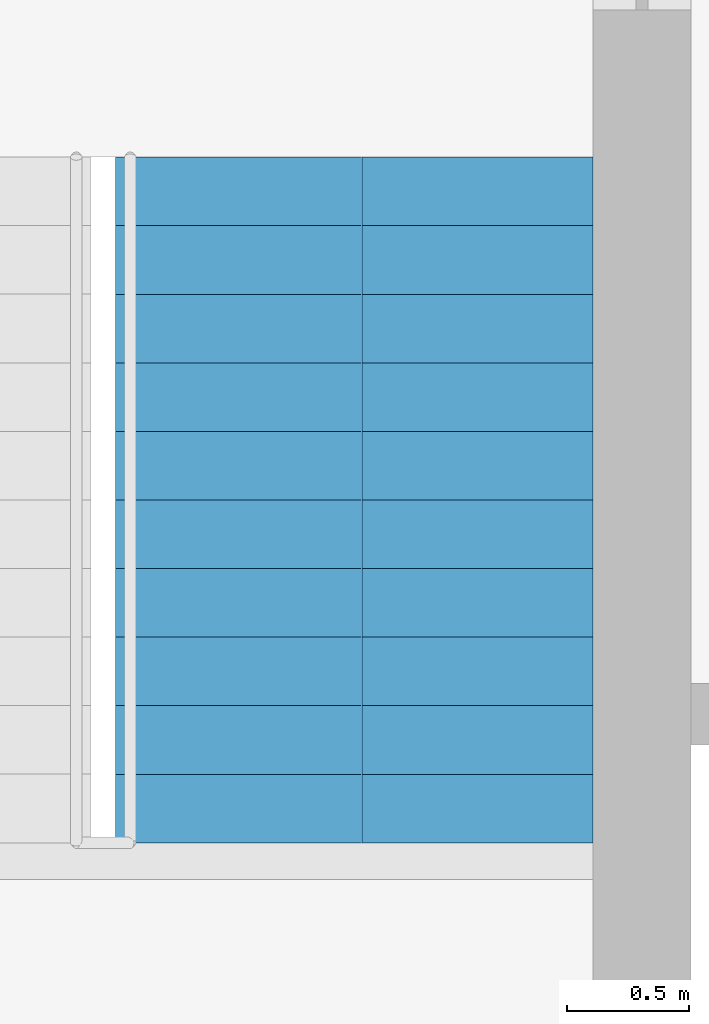
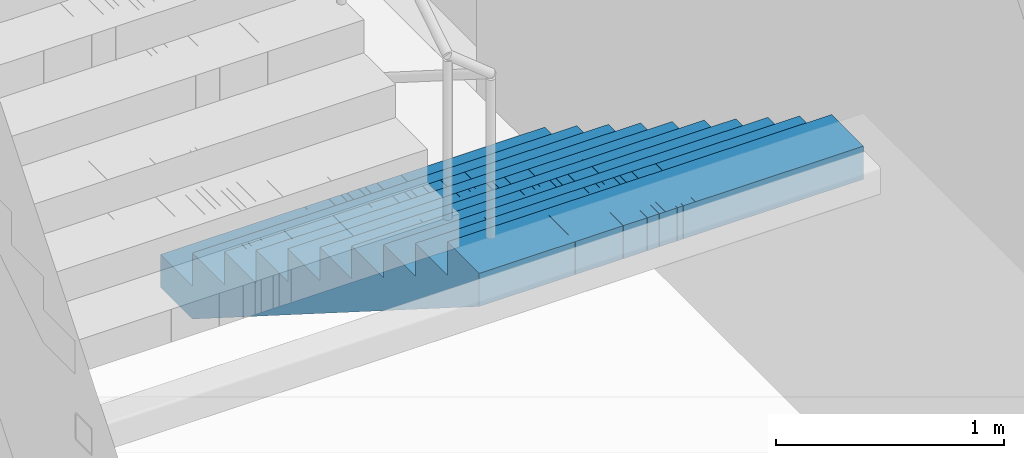
# One storey, part 21 of 22: 1 stair flight, 1 element without a shape of its own.
"""IFC4 building model written with IfcOpenShell, lengths in metres."""

from ifc_helpers import new_model, si_unit, direction, frame, origin, place, context, subcontext, project, spatial, polyline, outline, extrude, material, type_object, element, aggregate, save


model = new_model("IFC4")

# Units and contexts
model_context = context("Model", 3, precision=1e-05, world=origin(), true_north=direction((0.0, 1.0)))
body_context = subcontext(model_context, "Body", "Model", "MODEL_VIEW")
ifc_project = project(units=[si_unit("LENGTHUNIT", "METRE"), si_unit("AREAUNIT", "SQUARE_METRE"), si_unit("VOLUMEUNIT", "CUBIC_METRE"), si_unit("PLANEANGLEUNIT", "RADIAN"), si_unit("MASSUNIT", "GRAM", prefix="KILO")], contexts=[model_context])

# Site, building, storey
site_placement = place(None, origin())
site = spatial("IfcSite", under=ifc_project, at=site_placement, CompositionType="ELEMENT")
building_placement = place(site_placement, origin())
building = spatial("IfcBuilding", under=site, at=building_placement, Name="Mizan Broadcast Tower", CompositionType="ELEMENT")
storey_placement = place(building_placement, frame((0.0, 0.0, 51.300048828125)))
storey = spatial("IfcBuildingStorey", under=building, at=storey_placement, Name="L09", CompositionType="ELEMENT", Elevation=51.300048828125)

# Stair, stair flight
ifc_material_1 = material(Name="Concrete C40/50", Category="concrete")
stair_type = type_object("IfcStairType", Name="EXIT STAIR", PredefinedType="HALF_TURN_STAIR", material=ifc_material_1)
stair_placement = place(storey_placement, origin())
stair = element("IfcStair", 1, at=stair_placement, inside=storey, type_object=stair_type, Name="Stair B L09", PredefinedType="HALF_TURN_STAIR")
ifc_material_2 = material(Name="Concrete C40/50", Category="concrete")
stair_flight_type = type_object("IfcStairFlightType", Name="EXIT STAIR FLIGHT", PredefinedType="STRAIGHT", material=ifc_material_2)
stair_flight_placement = place(storey_placement, frame((1.02490234375, 7.89990234375, 0.0), z_axis=(0.0, 0.0, 1.0), x_axis=(0.0, -1.0, 0.0)))
stair_flight = element("IfcStairFlight", 2, at=stair_flight_placement, type_object=stair_flight_type, Name="B flight 1", NumberOfRisers=11, NumberOfTreads=10, PredefinedType="STRAIGHT", RiserHeight=0.177272727, TreadLength=0.28, context=body_context, shape_type="SweptSolid", body=[
    extrude(outline(polyline([(0.0, 0.0), (0.0, 0.17724609375), (0.280029296875, 0.17724609375), (0.280029296875, 0.3544921875), (0.56005859375, 0.3544921875), (0.56005859375, 0.53173828125), (0.840087890625, 0.53173828125), (0.840087890625, 0.708984375), (1.1201171875, 0.708984375), (1.1201171875, 0.886474609375), (1.39990234375, 0.886474609375), (1.39990234375, 1.063720703125), (1.679931640625, 1.063720703125), (1.679931640625, 1.240966796875), (1.9599609375, 1.240966796875), (1.9599609375, 1.418212890625), (2.239990234375, 1.418212890625), (2.239990234375, 1.595458984375), (2.52001953125, 1.595458984375), (2.52001953125, 1.772705078125), (2.800048828125, 1.772705078125), (2.800048828125, 1.949951171875), (2.800048828125, 1.59521484375), (0.2802734375, 0.0), (0.0, 0.0)])), frame((0.0, 0.97509765625, 0.0), z_axis=(0.0, -1.0, 0.0), x_axis=(1.0, 0.0, 0.0)), (0.0, 0.0, 1.0), 0.4873046875),
    extrude(outline(polyline([(0.0, 0.0), (0.0, 0.17724609375), (0.280029296875, 0.17724609375), (0.280029296875, 0.3544921875), (0.56005859375, 0.3544921875), (0.56005859375, 0.53173828125), (0.840087890625, 0.53173828125), (0.840087890625, 0.708984375), (1.1201171875, 0.708984375), (1.1201171875, 0.886474609375), (1.39990234375, 0.886474609375), (1.39990234375, 1.063720703125), (1.679931640625, 1.063720703125), (1.679931640625, 1.240966796875), (1.9599609375, 1.240966796875), (1.9599609375, 1.418212890625), (2.239990234375, 1.418212890625), (2.239990234375, 1.595458984375), (2.52001953125, 1.595458984375), (2.52001953125, 1.772705078125), (2.800048828125, 1.772705078125), (2.800048828125, 1.949951171875), (2.800048828125, 1.59521484375), (0.2802734375, 0.0), (0.0, 0.0)])), frame((0.0, 0.4873046875, 0.0), z_axis=(0.0, -1.0, 0.0), x_axis=(1.0, 0.0, 0.0)), (0.0, 0.0, 1.0), 0.2431640625),
    extrude(outline(polyline([(0.0, 0.0), (0.0, 0.17724609375), (0.280029296875, 0.17724609375), (0.280029296875, 0.3544921875), (0.56005859375, 0.3544921875), (0.56005859375, 0.53173828125), (0.840087890625, 0.53173828125), (0.840087890625, 0.708984375), (1.1201171875, 0.708984375), (1.1201171875, 0.886474609375), (1.39990234375, 0.886474609375), (1.39990234375, 1.063720703125), (1.679931640625, 1.063720703125), (1.679931640625, 1.240966796875), (1.9599609375, 1.240966796875), (1.9599609375, 1.418212890625), (2.239990234375, 1.418212890625), (2.239990234375, 1.595458984375), (2.52001953125, 1.595458984375), (2.52001953125, 1.772705078125), (2.800048828125, 1.772705078125), (2.800048828125, 1.949951171875), (2.800048828125, 1.59521484375), (0.2802734375, 0.0), (0.0, 0.0)])), frame((0.0, 0.24365234375, 0.0), z_axis=(0.0, -1.0, 0.0), x_axis=(1.0, 0.0, 0.0)), (0.0, 0.0, 1.0), 0.121337890625),
    extrude(outline(polyline([(0.0, 0.0), (0.0, 0.17724609375), (0.280029296875, 0.17724609375), (0.280029296875, 0.3544921875), (0.56005859375, 0.3544921875), (0.56005859375, 0.53173828125), (0.840087890625, 0.53173828125), (0.840087890625, 0.708984375), (1.1201171875, 0.708984375), (1.1201171875, 0.886474609375), (1.39990234375, 0.886474609375), (1.39990234375, 1.063720703125), (1.679931640625, 1.063720703125), (1.679931640625, 1.240966796875), (1.9599609375, 1.240966796875), (1.9599609375, 1.418212890625), (2.239990234375, 1.418212890625), (2.239990234375, 1.595458984375), (2.52001953125, 1.595458984375), (2.52001953125, 1.772705078125), (2.800048828125, 1.772705078125), (2.800048828125, 1.949951171875), (2.800048828125, 1.59521484375), (0.2802734375, 0.0), (0.0, 0.0)])), frame((0.0, 0.121826171875, 0.0), z_axis=(0.0, -1.0, 0.0), x_axis=(1.0, 0.0, 0.0)), (0.0, 0.0, 1.0), 0.060546875),
    extrude(outline(polyline([(0.0, 0.0), (0.0, 0.17724609375), (0.280029296875, 0.17724609375), (0.280029296875, 0.3544921875), (0.56005859375, 0.3544921875), (0.56005859375, 0.53173828125), (0.840087890625, 0.53173828125), (0.840087890625, 0.708984375), (1.1201171875, 0.708984375), (1.1201171875, 0.886474609375), (1.39990234375, 0.886474609375), (1.39990234375, 1.063720703125), (1.679931640625, 1.063720703125), (1.679931640625, 1.240966796875), (1.9599609375, 1.240966796875), (1.9599609375, 1.418212890625), (2.239990234375, 1.418212890625), (2.239990234375, 1.595458984375), (2.52001953125, 1.595458984375), (2.52001953125, 1.772705078125), (2.800048828125, 1.772705078125), (2.800048828125, 1.949951171875), (2.800048828125, 1.59521484375), (0.2802734375, 0.0), (0.0, 0.0)])), frame((0.0, 0.060791015625, 0.0), z_axis=(0.0, -1.0, 0.0), x_axis=(1.0, 0.0, 0.0)), (0.0, 0.0, 1.0), 0.030029296875),
    extrude(outline(polyline([(0.0, 0.0), (0.0, 0.17724609375), (0.280029296875, 0.17724609375), (0.280029296875, 0.3544921875), (0.56005859375, 0.3544921875), (0.56005859375, 0.53173828125), (0.840087890625, 0.53173828125), (0.840087890625, 0.708984375), (1.1201171875, 0.708984375), (1.1201171875, 0.886474609375), (1.39990234375, 0.886474609375), (1.39990234375, 1.063720703125), (1.679931640625, 1.063720703125), (1.679931640625, 1.240966796875), (1.9599609375, 1.240966796875), (1.9599609375, 1.418212890625), (2.239990234375, 1.418212890625), (2.239990234375, 1.595458984375), (2.52001953125, 1.595458984375), (2.52001953125, 1.772705078125), (2.800048828125, 1.772705078125), (2.800048828125, 1.949951171875), (2.800048828125, 1.59521484375), (0.2802734375, 0.0), (0.0, 0.0)])), frame((0.0, 0.0302734375, 0.0), z_axis=(0.0, -1.0, 0.0), x_axis=(1.0, 0.0, 0.0)), (0.0, 0.0, 1.0), 0.060302734375),
    extrude(outline(polyline([(0.0, 0.0), (0.0, 0.17724609375), (0.280029296875, 0.17724609375), (0.280029296875, 0.3544921875), (0.56005859375, 0.3544921875), (0.56005859375, 0.53173828125), (0.840087890625, 0.53173828125), (0.840087890625, 0.708984375), (1.1201171875, 0.708984375), (1.1201171875, 0.886474609375), (1.39990234375, 0.886474609375), (1.39990234375, 1.063720703125), (1.679931640625, 1.063720703125), (1.679931640625, 1.240966796875), (1.9599609375, 1.240966796875), (1.9599609375, 1.418212890625), (2.239990234375, 1.418212890625), (2.239990234375, 1.595458984375), (2.52001953125, 1.595458984375), (2.52001953125, 1.772705078125), (2.800048828125, 1.772705078125), (2.800048828125, 1.949951171875), (2.800048828125, 1.59521484375), (0.2802734375, 0.0), (0.0, 0.0)])), frame((0.0, -0.030517578125, 0.0), z_axis=(0.0, -1.0, 0.0), x_axis=(1.0, 0.0, 0.0)), (0.0, 0.0, 1.0), 0.030029296875),
    extrude(outline(polyline([(0.0, 0.0), (0.0, 0.17724609375), (0.280029296875, 0.17724609375), (0.280029296875, 0.3544921875), (0.56005859375, 0.3544921875), (0.56005859375, 0.53173828125), (0.840087890625, 0.53173828125), (0.840087890625, 0.708984375), (1.1201171875, 0.708984375), (1.1201171875, 0.886474609375), (1.39990234375, 0.886474609375), (1.39990234375, 1.063720703125), (1.679931640625, 1.063720703125), (1.679931640625, 1.240966796875), (1.9599609375, 1.240966796875), (1.9599609375, 1.418212890625), (2.239990234375, 1.418212890625), (2.239990234375, 1.595458984375), (2.52001953125, 1.595458984375), (2.52001953125, 1.772705078125), (2.800048828125, 1.772705078125), (2.800048828125, 1.949951171875), (2.800048828125, 1.59521484375), (0.2802734375, 0.0), (0.0, 0.0)])), frame((0.0, -0.06103515625, 0.0), z_axis=(0.0, -1.0, 0.0), x_axis=(1.0, 0.0, 0.0)), (0.0, 0.0, 1.0), 0.060546875),
    extrude(outline(polyline([(0.0, 0.0), (0.0, 0.17724609375), (0.280029296875, 0.17724609375), (0.280029296875, 0.3544921875), (0.56005859375, 0.3544921875), (0.56005859375, 0.53173828125), (0.840087890625, 0.53173828125), (0.840087890625, 0.708984375), (1.1201171875, 0.708984375), (1.1201171875, 0.886474609375), (1.39990234375, 0.886474609375), (1.39990234375, 1.063720703125), (1.679931640625, 1.063720703125), (1.679931640625, 1.240966796875), (1.9599609375, 1.240966796875), (1.9599609375, 1.418212890625), (2.239990234375, 1.418212890625), (2.239990234375, 1.595458984375), (2.52001953125, 1.595458984375), (2.52001953125, 1.772705078125), (2.800048828125, 1.772705078125), (2.800048828125, 1.949951171875), (2.800048828125, 1.59521484375), (0.2802734375, 0.0), (0.0, 0.0)])), frame((0.0, -0.1220703125, 0.0), z_axis=(0.0, -1.0, 0.0), x_axis=(1.0, 0.0, 0.0)), (0.0, 0.0, 1.0), 0.121337890625),
    extrude(outline(polyline([(0.0, 0.0), (0.0, 0.17724609375), (0.280029296875, 0.17724609375), (0.280029296875, 0.3544921875), (0.56005859375, 0.3544921875), (0.56005859375, 0.53173828125), (0.840087890625, 0.53173828125), (0.840087890625, 0.708984375), (1.1201171875, 0.708984375), (1.1201171875, 0.886474609375), (1.39990234375, 0.886474609375), (1.39990234375, 1.063720703125), (1.679931640625, 1.063720703125), (1.679931640625, 1.240966796875), (1.9599609375, 1.240966796875), (1.9599609375, 1.418212890625), (2.239990234375, 1.418212890625), (2.239990234375, 1.595458984375), (2.52001953125, 1.595458984375), (2.52001953125, 1.772705078125), (2.800048828125, 1.772705078125), (2.800048828125, 1.949951171875), (2.800048828125, 1.59521484375), (0.2802734375, 0.0), (0.0, 0.0)])), frame((0.0, -0.243896484375, 0.0), z_axis=(0.0, -1.0, 0.0), x_axis=(1.0, 0.0, 0.0)), (0.0, 0.0, 1.0), 0.2431640625),
    extrude(outline(polyline([(0.0, 0.0), (0.0, 0.17724609375), (0.280029296875, 0.17724609375), (0.280029296875, 0.3544921875), (0.56005859375, 0.3544921875), (0.56005859375, 0.53173828125), (0.840087890625, 0.53173828125), (0.840087890625, 0.708984375), (1.1201171875, 0.708984375), (1.1201171875, 0.886474609375), (1.39990234375, 0.886474609375), (1.39990234375, 1.063720703125), (1.679931640625, 1.063720703125), (1.679931640625, 1.240966796875), (1.9599609375, 1.240966796875), (1.9599609375, 1.418212890625), (2.239990234375, 1.418212890625), (2.239990234375, 1.595458984375), (2.52001953125, 1.595458984375), (2.52001953125, 1.772705078125), (2.800048828125, 1.772705078125), (2.800048828125, 1.949951171875), (2.800048828125, 1.59521484375), (0.2802734375, 0.0), (0.0, 0.0)])), frame((0.0, -0.487548828125, 0.0), z_axis=(0.0, -1.0, 0.0), x_axis=(1.0, 0.0, 0.0)), (0.0, 0.0, 1.0), 0.4873046875),
])
aggregate(stair, [stair_flight])

save(model, "model.ifc")
